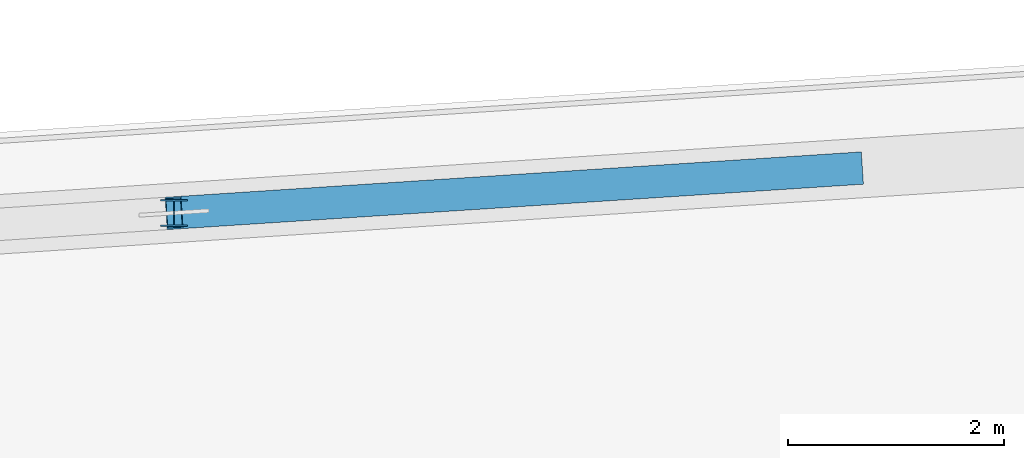
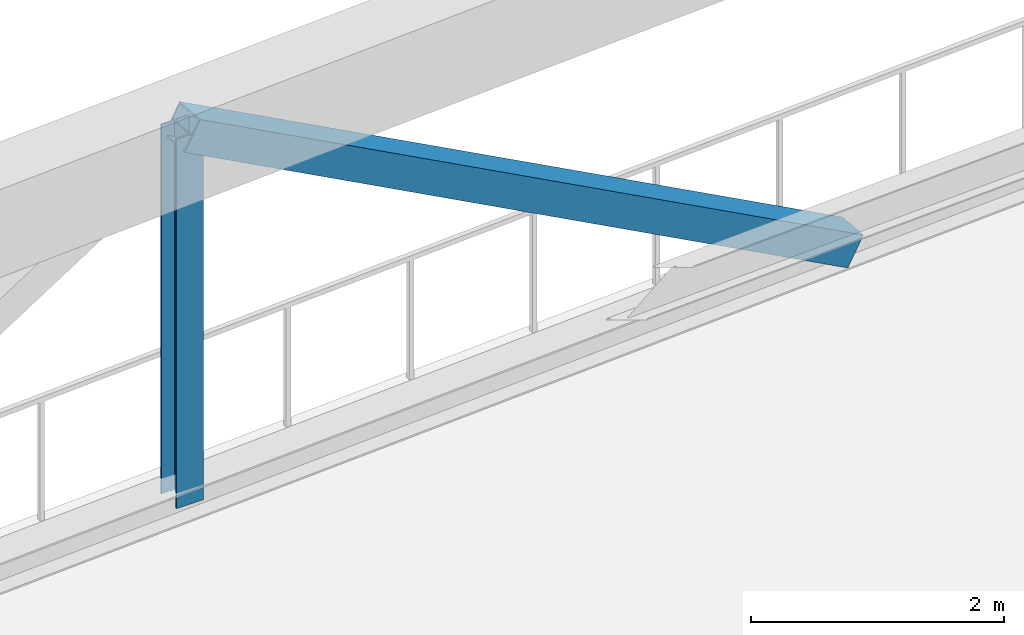
# One storey, part 7 of 22: 2 members.
"""IFC4 building model written with IfcOpenShell, lengths in metres."""

import ifcopenshell
import ifcopenshell.guid

model = None  # the IFC model being written
_history = None  # IfcOwnerHistory: only IFC2X3 demands one
_inside = {}  # id of a spatial element -> (the spatial element, [elements in it])
_under = {}  # id of a project, library or spatial element -> (it, [spatial elements below it])
_declared = {}  # id of a project -> (the project, [libraries it declares])
_typed = {}  # id of a type object -> (the type object, [elements of that type])
_made_of = {}  # id of a material, layer set ... -> (it, [elements and type objects made of it])


def new_model(schema):
    """Start an empty IFC model of exactly this schema.

    Asked for "IFC4X3", IfcOpenShell would pick the latest addendum, in which some entities
    have other attributes; the version numbers below select the first issue.
    IFC2X3 requires an IfcOwnerHistory on every rooted entity: one is made here for all.
    """
    global model, _history
    if schema == "IFC4X3":
        model = ifcopenshell.file(schema_version=(4, 3, 0, 0))
    else:
        model = ifcopenshell.file(schema=schema)
    _inside.clear()
    _under.clear()
    _declared.clear()
    _typed.clear()
    _made_of.clear()
    _history = None
    if model.schema == "IFC2X3":
        org = make("IfcOrganization", Name="unknown")
        user = make(
            "IfcPersonAndOrganization",
            ThePerson=make("IfcPerson", FamilyName="unknown"),
            TheOrganization=org,
        )
        app = make(
            "IfcApplication",
            ApplicationDeveloper=org,
            Version="unknown",
            ApplicationFullName="unknown",
            ApplicationIdentifier="unknown",
        )
        _history = make(
            "IfcOwnerHistory",
            OwningUser=user,
            OwningApplication=app,
            ChangeAction="ADDED",
            CreationDate=0,
        )
    return model


def make(cls, **values):
    """One entity of the class cls with the attributes given. An attribute that is None is left unset."""
    return model.create_entity(
        cls, **{name: value for name, value in values.items() if value is not None}
    )


def rooted(cls, **values):
    """An entity with a GlobalId (a new one), such as an element, a storey or a relation."""
    return make(cls, GlobalId=ifcopenshell.guid.new(), OwnerHistory=_history, **values)


def si_unit(unit_type, name, prefix=None):
    """IfcSIUnit, for example si_unit("LENGTHUNIT", "METRE", prefix="MILLI")."""
    return make("IfcSIUnit", UnitType=unit_type, Prefix=prefix, Name=name)


def assignment(units):
    """IfcUnitAssignment: the units of a project."""
    return None if units is None else make("IfcUnitAssignment", Units=units)


def point(xyz):
    """IfcCartesianPoint."""
    return None if xyz is None else make("IfcCartesianPoint", Coordinates=xyz)


def direction(xyz):
    """IfcDirection."""
    return None if xyz is None else make("IfcDirection", DirectionRatios=xyz)


def frame(location, z_axis=None, x_axis=None):
    """IfcAxis2Placement3D, a coordinate frame: its origin and axes. An axis left out is left unset."""
    return make(
        "IfcAxis2Placement3D",
        Location=point(location),
        Axis=direction(z_axis),
        RefDirection=direction(x_axis),
    )


def frame_2d(location, x_axis=None):
    """IfcAxis2Placement2D, a coordinate frame in the plane: its origin and x axis."""
    return make(
        "IfcAxis2Placement2D", Location=point(location), RefDirection=direction(x_axis)
    )


def origin():
    """The frame at (0, 0, 0) with its axes left unset."""
    return frame((0.0, 0.0, 0.0))


def origin_2d():
    """The frame at (0, 0) in the plane with its x axis left unset."""
    return frame_2d((0.0, 0.0))


def place(relative_to, where):
    """IfcLocalPlacement: puts the frame where relative to a parent placement (None: the world)."""
    return make(
        "IfcLocalPlacement", PlacementRelTo=relative_to, RelativePlacement=where
    )


def context(
    kind, dimensions, precision=None, world=None, true_north=None, identifier=None
):
    """IfcGeometricRepresentationContext, for example the 3D "Model" context."""
    return make(
        "IfcGeometricRepresentationContext",
        ContextIdentifier=identifier,
        ContextType=kind,
        CoordinateSpaceDimension=dimensions,
        Precision=precision,
        WorldCoordinateSystem=world,
        TrueNorth=true_north,
    )


def subcontext(parent, identifier, kind, view, scale=None):
    """IfcGeometricRepresentationSubContext, for example "Body" below "Model"."""
    return make(
        "IfcGeometricRepresentationSubContext",
        ContextIdentifier=identifier,
        ContextType=kind,
        ParentContext=parent,
        TargetScale=scale,
        TargetView=view,
    )


def project(units=None, contexts=None):
    """IfcProject with its units and contexts."""
    return rooted(
        "IfcProject",
        Name="project",
        RepresentationContexts=contexts,
        UnitsInContext=assignment(units),
    )


def spatial(cls, under=None, at=None, **own):
    """A site, building, storey or space (cls), placed at a placement, below another one or the project."""
    s = rooted(cls, ObjectPlacement=at, **own)
    if under is not None:
        _under.setdefault(under.id(), (under, []))[1].append(s)
    return s


def profile(cls, at=None, kind="AREA", **sizes):
    """A parametric profile (cls). Its sizes go by their IFC names, for example OverallWidth=200.0."""
    return make(cls, ProfileType=kind, Position=at, **sizes)


def hollow_rectangle(**sizes):
    """IfcRectangleHollowProfileDef."""
    return profile("IfcRectangleHollowProfileDef", **sizes)


def i_section(**sizes):
    """IfcIShapeProfileDef."""
    return profile("IfcIShapeProfileDef", **sizes)


def extrude(swept, where, along, depth):
    """IfcExtrudedAreaSolid: the profile swept, set in the frame where, extruded along a direction by depth."""
    return make(
        "IfcExtrudedAreaSolid",
        SweptArea=swept,
        Position=where,
        ExtrudedDirection=direction(along),
        Depth=depth,
    )


def shape(context_of_items, identifier, shape_type, items):
    """IfcShapeRepresentation: the items that make up one representation, for example the "Body"."""
    return make(
        "IfcShapeRepresentation",
        ContextOfItems=context_of_items,
        RepresentationIdentifier=identifier,
        RepresentationType=shape_type,
        Items=items,
    )


def source(mapping_origin, context_of_items, identifier, shape_type, items):
    """IfcRepresentationMap: a shape defined once, which mapped items show again and again."""
    return make(
        "IfcRepresentationMap",
        MappingOrigin=mapping_origin,
        MappedRepresentation=shape(context_of_items, identifier, shape_type, items),
    )


def transform(
    local_origin,
    x_axis=None,
    y_axis=None,
    z_axis=None,
    scale=None,
    scale2=None,
    scale3=None,
    uniform=True,
):
    """IfcCartesianTransformationOperator3D, or its non-uniform kind. x_axis, y_axis, z_axis: its Axis1, 2, 3."""
    if uniform:
        return make(
            "IfcCartesianTransformationOperator3D",
            Axis1=direction(x_axis),
            Axis2=direction(y_axis),
            LocalOrigin=point(local_origin),
            Scale=scale,
            Axis3=direction(z_axis),
        )
    return make(
        "IfcCartesianTransformationOperator3DnonUniform",
        Axis1=direction(x_axis),
        Axis2=direction(y_axis),
        LocalOrigin=point(local_origin),
        Scale=scale,
        Axis3=direction(z_axis),
        Scale2=scale2,
        Scale3=scale3,
    )


def mapped(mapping_source, mapping_target):
    """IfcMappedItem: shows the shape of a source again, moved by a transform."""
    return make(
        "IfcMappedItem", MappingSource=mapping_source, MappingTarget=mapping_target
    )


def material(Name=None, Category=None):
    """IfcMaterial."""
    return make("IfcMaterial", Name=Name, Category=Category)


def material_profile(
    of_material, cross_section, Name=None, Category=None, Priority=None
):
    """IfcMaterialProfile: a cross section and its material."""
    return make(
        "IfcMaterialProfile",
        Name=Name,
        Material=of_material,
        Profile=cross_section,
        Priority=Priority,
        Category=Category,
    )


def profile_set(profiles, Name=None, composite=None):
    """IfcMaterialProfileSet."""
    return make(
        "IfcMaterialProfileSet",
        Name=Name,
        MaterialProfiles=profiles,
        CompositeProfile=composite,
    )


def made_of(thing, what):
    """Note that an element or type object is made of a material, layer set ...; save() writes the relation."""
    if what is not None:
        _made_of.setdefault(what.id(), (what, []))[1].append(thing)
    return thing


def type_object(cls, material=None, **own):
    """A type object (cls), such as IfcWallType, which elements share."""
    return made_of(rooted(cls, **own), material)


def element(
    cls,
    number,
    at=None,
    inside=None,
    cuts=None,
    type_object=None,
    material=None,
    context=None,
    identifier="Body",
    shape_type=None,
    held_by="IfcProductDefinitionShape",
    body=None,
    shapes=None,
    **own,
):
    """One element of the class cls, such as IfcWall. Its Tag is "e" and its number.

    at: its placement. inside: the storey or other place that contains it. cuts: it is an
    opening in that element (IfcRelVoidsElement). A single representation is given by context,
    identifier, shape_type and body (its items); several are given by shapes. held_by: the class
    of the entity that holds the representations. save() writes the other relations.
    """
    e = rooted(cls, Tag="e%d" % number, ObjectPlacement=at, **own)
    if body is not None:
        shapes = [shape(context, identifier, shape_type, body)]
    if shapes is not None:
        e.Representation = make(held_by, Representations=shapes)
    if inside is not None:
        _inside.setdefault(inside.id(), (inside, []))[1].append(e)
    if cuts is not None:
        rooted(
            "IfcRelVoidsElement", RelatingBuildingElement=cuts, RelatedOpeningElement=e
        )
    if type_object is not None:
        _typed.setdefault(type_object.id(), (type_object, []))[1].append(e)
    return made_of(e, material)


def aggregate(whole, parts):
    """IfcRelAggregates: a whole, such as a stair, and the parts it consists of."""
    return rooted("IfcRelAggregates", RelatingObject=whole, RelatedObjects=parts)


def save(model, path):
    """Write the relations noted so far, then the file.

    IfcRelAggregates (storeys below a building ...), IfcRelContainedInSpatialStructure (elements
    in a storey), IfcRelDefinesByType, IfcRelAssociatesMaterial and IfcRelDeclares: one each for
    every whole, place, type object, material and project.
    """
    for whole, parts in _under.values():
        aggregate(whole, parts)
    for where, things in _inside.values():
        rooted(
            "IfcRelContainedInSpatialStructure",
            RelatedElements=things,
            RelatingStructure=where,
        )
    for kind, things in _typed.values():
        rooted("IfcRelDefinesByType", RelatedObjects=things, RelatingType=kind)
    for what, things in _made_of.values():
        rooted("IfcRelAssociatesMaterial", RelatedObjects=things, RelatingMaterial=what)
    for by, libraries in _declared.values():
        rooted("IfcRelDeclares", RelatingContext=by, RelatedDefinitions=libraries)
    model.write(path)


model = new_model("IFC4")

# Units and contexts
model_context = context("Model", 3, precision=1e-05, world=origin(), true_north=direction((0.0, 1.0)))
body_context = subcontext(model_context, "Body", "Model", "MODEL_VIEW")
ifc_project = project(units=[si_unit("LENGTHUNIT", "METRE"), si_unit("AREAUNIT", "SQUARE_METRE"), si_unit("VOLUMEUNIT", "CUBIC_METRE"), si_unit("PLANEANGLEUNIT", "RADIAN"), si_unit("MASSUNIT", "GRAM", prefix="KILO")], contexts=[model_context])

# Site, building, storey
site_placement = place(None, origin())
site = spatial("IfcSite", under=ifc_project, at=site_placement, CompositionType="ELEMENT")
building_placement = place(site_placement, origin())
building = spatial("IfcBuilding", under=site, at=building_placement, Name="Liaohun Quay Tower", CompositionType="ELEMENT")
storey_placement = place(building_placement, frame((0.0, 0.0, 277.5)))
storey = spatial("IfcBuildingStorey", under=building, at=storey_placement, Name="L72", CompositionType="ELEMENT", Elevation=277.5)

# Members
ifc_material = material(Name="Steel Q355D", Category="steel")
ifc_material_profile_1 = material_profile(ifc_material, i_section(OverallWidth=0.25, OverallDepth=0.25, WebThickness=0.009033203125, FlangeThickness=0.013916015625, at=origin_2d()), Name="HW250x250x9x14")
ifc_profile_set_1 = profile_set([ifc_material_profile_1], Name="Steel Q355D")
member_type_1 = type_object("IfcMemberType", Name="MEM-BLT-PST", PredefinedType="POST", material=ifc_profile_set_1)
shared_shape_1 = source(origin(), body_context, "Body", "SweptSolid", [
    extrude(i_section(OverallWidth=0.25, OverallDepth=0.25, WebThickness=0.009033203125, FlangeThickness=0.013916015625, at=origin_2d()), origin(), (0.0, 0.0, 1.0), 3.56982421875),
])
member_1_placement = place(storey_placement, frame((48.10009765625, 75.965087890625, 0.35009765625), z_axis=(0.0, 0.0, 1.0), x_axis=(1.0, 0.0, 0.0)))
element("IfcMember", 1, at=member_1_placement, inside=storey, type_object=member_type_1, Name="L72 Belt Truss Vertical Post BP-1-03", PredefinedType="POST", context=body_context, shape_type="MappedRepresentation", body=[
    mapped(shared_shape_1, transform((0.0, 0.0, 0.0), x_axis=(1.0, 0.0, 0.0), y_axis=(0.0, 1.0, 0.0), z_axis=(0.0, 0.0, 1.0), scale=1.0)),
])
ifc_material_profile_2 = material_profile(ifc_material, hollow_rectangle(XDim=0.300048828125, YDim=0.300048828125, WallThickness=0.013916015625, at=origin_2d()), Name="SHS300x300x14")
ifc_profile_set_2 = profile_set([ifc_material_profile_2], Name="Steel Q355D")
member_type_2 = type_object("IfcMemberType", Name="MEM-BLT-DG3", PredefinedType="BRACE", material=ifc_profile_set_2)
shared_shape_2 = source(origin(), body_context, "Body", "SweptSolid", [
    extrude(hollow_rectangle(XDim=0.300048828125, YDim=0.300048828125, WallThickness=0.013916015625, at=origin_2d()), origin(), (0.0, 0.0, 1.0), 7.25),
])
member_2_placement = place(storey_placement, frame((48.10009765625, 75.965087890625, 3.919921875), z_axis=(0.868529449482, 0.056673971134, -0.492386693949), x_axis=(-0.065114312826, 0.99787781129, 0.0)))
element("IfcMember", 2, at=member_2_placement, inside=storey, type_object=member_type_2, Name="L72 Belt Truss Diagonal BD-03B", PredefinedType="BRACE", context=body_context, shape_type="MappedRepresentation", body=[
    mapped(shared_shape_2, transform((0.0, 0.0, 0.0), x_axis=(1.0, 0.0, 0.0), y_axis=(0.0, 1.0, 0.0), z_axis=(0.0, 0.0, 1.0), scale=1.0)),
])

save(model, "model.ifc")
